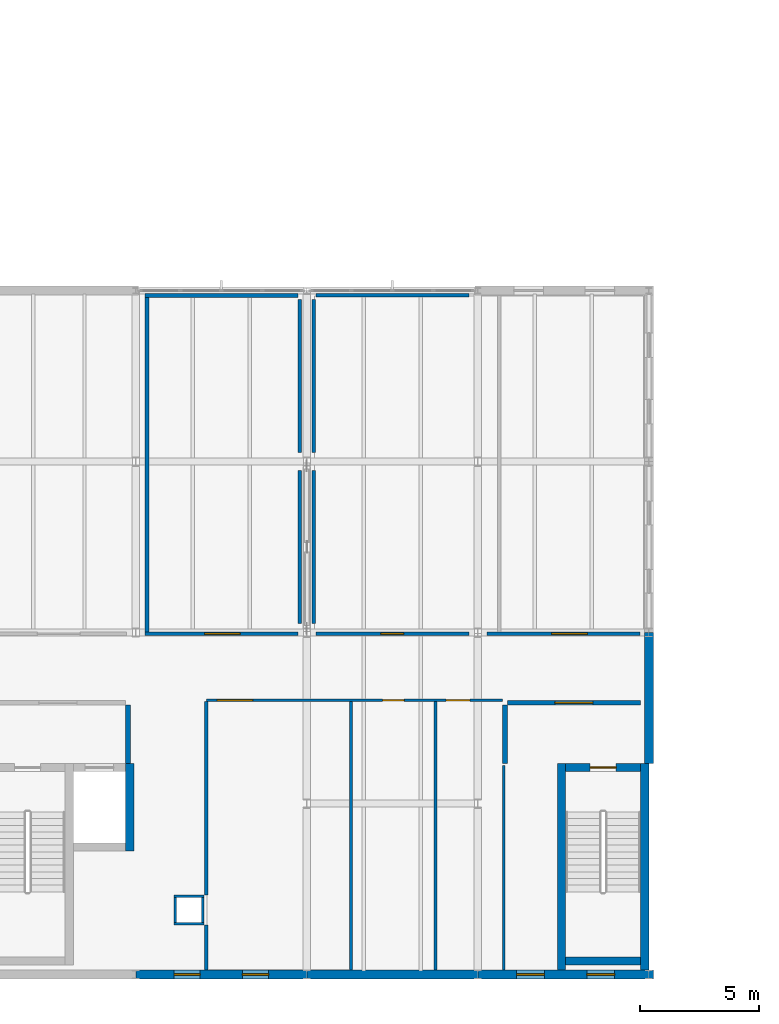
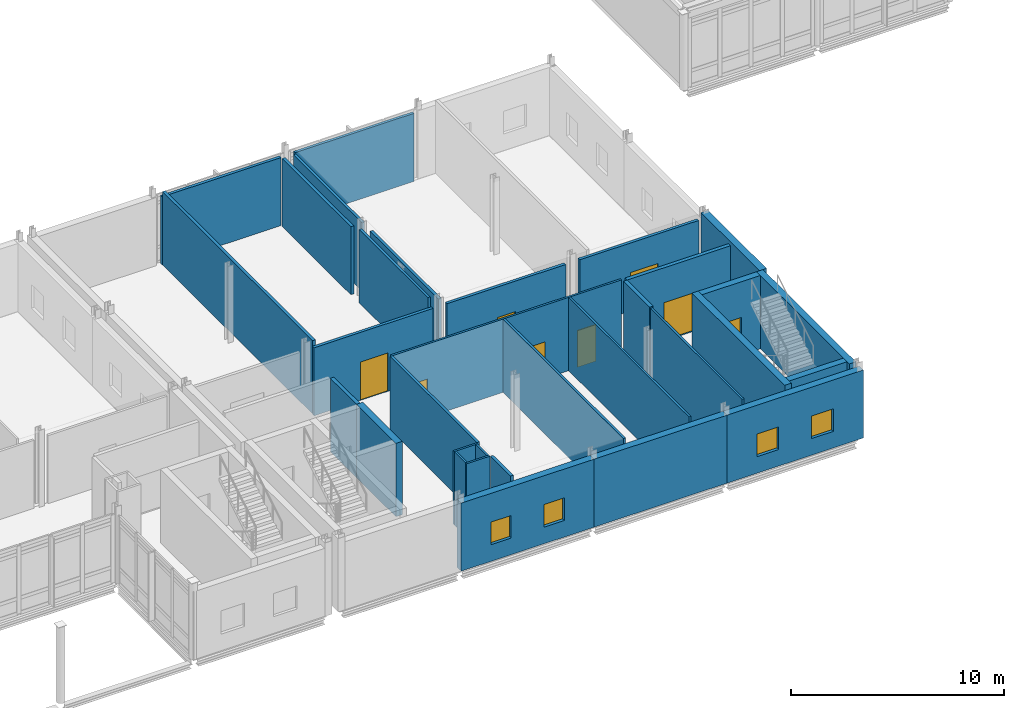
# One storey, part 56 of 72: 32 walls, 8 doors, 4 windows, 12 openings.
"""IFC4 building model written with IfcOpenShell, lengths in metres."""

from ifc_helpers import new_model, si_unit, direction, frame, frame_2d, origin, place, context, subcontext, project, spatial, rectangle, extrude, material, layer, layer_set, type_object, element, fill, save


model = new_model("IFC4")

# Units and contexts
model_context = context("Model", 3, precision=1e-05, world=origin(), true_north=direction((0.0, 1.0)))
body_context = subcontext(model_context, "Body", "Model", "MODEL_VIEW")
ifc_project = project(units=[si_unit("LENGTHUNIT", "METRE"), si_unit("AREAUNIT", "SQUARE_METRE"), si_unit("VOLUMEUNIT", "CUBIC_METRE"), si_unit("PLANEANGLEUNIT", "RADIAN"), si_unit("MASSUNIT", "GRAM", prefix="KILO")], contexts=[model_context])

# Site, building, storey
site_placement = place(None, origin())
site = spatial("IfcSite", under=ifc_project, at=site_placement, CompositionType="ELEMENT")
building_placement = place(site_placement, origin())
building = spatial("IfcBuilding", under=site, at=building_placement, Name="Zarrinpeak Specialist Clinic", CompositionType="ELEMENT")
storey_placement = place(building_placement, frame((0.0, 0.0, 9.60009765625)))
storey = spatial("IfcBuildingStorey", under=building, at=storey_placement, Name="L02", CompositionType="ELEMENT", Elevation=9.60009765625)

# Walls
ifc_material_1 = material(Name="Concrete C40/50", Category="concrete")
ifc_layer_1 = layer(ifc_material_1, 0.35009765625)
ifc_layer_set_1 = layer_set([ifc_layer_1], Name="Concrete C40/50")
wall_type_1 = type_object("IfcWallType", Name="WL-CR350", PredefinedType="SHEAR", material=ifc_layer_set_1)
wall_1_placement = place(storey_placement, frame((64.544921875, 5.199951171875, 0.0), z_axis=(0.0, 0.0, 1.0), x_axis=(0.0, 1.0, 0.0)))
element("IfcWall", 1, at=wall_1_placement, inside=storey, type_object=wall_type_1, Name="L02 Lift LF-P4 Shaft Wall LFE", PredefinedType="SHEAR", context=body_context, shape_type="SweptSolid", body=[
    extrude(rectangle(XDim=3.699951171875, YDim=0.35009765625, at=frame_2d((1.85009765625, 0.0))), origin(), (0.0, 0.0, 1.0), 4.199951171875),
])
wall_2_placement = place(storey_placement, frame((82.89990234375, 0.574951171875, 0.0), z_axis=(0.0, 0.0, 1.0), x_axis=(1.0, 0.0, 0.0)))
element("IfcWall", 2, at=wall_2_placement, inside=storey, type_object=wall_type_1, Name="L02 Core C08 Shear Wall STS", PredefinedType="SHEAR", context=body_context, shape_type="SweptSolid", body=[
    extrude(rectangle(XDim=3.150146484375, YDim=0.35009765625, at=frame_2d((1.5751953125, 0.0))), origin(), (0.0, 0.0, 1.0), 4.199951171875),
])

# Wall, opening, door
wall_3_placement = place(storey_placement, frame((82.89990234375, 8.72509765625, 0.0), z_axis=(0.0, 0.0, 1.0), x_axis=(1.0, 0.0, 0.0)))
wall_3 = element("IfcWall", 3, at=wall_3_placement, inside=storey, type_object=wall_type_1, Name="L02 Core C08 Shear Wall STN", PredefinedType="SHEAR", context=body_context, shape_type="SweptSolid", body=[
    extrude(rectangle(XDim=3.150146484375, YDim=0.35009765625, at=frame_2d((1.5751953125, 0.0))), origin(), (0.0, 0.0, 1.0), 4.199951171875),
])
opening_1_placement = place(wall_3_placement, frame((1.02490234375, 0.0, 0.0)))
opening_1 = element("IfcOpeningElement", 4, at=opening_1_placement, cuts=wall_3, Name="Opening D-S02", PredefinedType="OPENING", context=body_context, shape_type="SweptSolid", body=[
    extrude(rectangle(XDim=1.10009765625, YDim=2.14990234375, at=frame_2d((0.550048828125, 1.074951171875))), frame((0.0, 0.18505859375, 0.0), z_axis=(0.0, -1.0, 0.0), x_axis=(1.0, 0.0, 0.0)), (0.0, 0.0, 1.0), 0.3701171875),
])
ifc_material_2 = material(Name="Powder-Coated Galvanised Steel", Category="steel")
door_type_1 = type_object("IfcDoorType", Name="DR-FD110", OperationType="SINGLE_SWING_RIGHT", PredefinedType="DOOR", material=ifc_material_2)
door_1_placement = place(opening_1_placement, frame((1.10009765625, 0.0, 0.0), z_axis=(0.0, 0.0, 1.0), x_axis=(-1.0, 0.0, 0.0)))
door_1 = element("IfcDoor", 5, at=door_1_placement, inside=storey, type_object=door_type_1, Name="L02 Protected Stair ST-08 Fire Door", OperationType="SINGLE_SWING_RIGHT", OverallHeight=2.14990234375, OverallWidth=1.10009765625, PredefinedType="DOOR", context=body_context, shape_type="SweptSolid", body=[
    extrude(rectangle(XDim=1.10009765625, YDim=2.14990234375, at=frame_2d((0.550048828125, 1.074951171875))), frame((0.0, 0.02490234375, 0.0), z_axis=(0.0, -1.0, 0.0), x_axis=(1.0, 0.0, 0.0)), (0.0, 0.0, 1.0), 0.050048828125),
])
fill(opening_1, door_1)

# Walls
for number, where, z_axis, x_axis, name in (
    (6, (82.72509765625, 0.18994140625, 0.0), (0.0, 0.0, 1.0), (0.0, 1.0, 0.0), "L02 Core C08 Shear Wall STW"),
    (7, (86.22509765625, 0.18994140625, 0.0), (0.0, 0.0, 1.0), (0.0, 1.0, 0.0), "L02 Core C08 Shear Wall STE"),
):
    element("IfcWall", number, at=place(storey_placement, frame(where, z_axis=z_axis, x_axis=x_axis)), inside=storey, type_object=wall_type_1, Name=name, PredefinedType="SHEAR", context=body_context, shape_type="SweptSolid", body=[
        extrude(rectangle(XDim=8.7099609375, YDim=0.35009765625, at=frame_2d((4.35498046875, 0.0))), origin(), (0.0, 0.0, 1.0), 4.199951171875),
    ])

# Wall, openings, windows
ifc_material_3 = material(Name="Precast concrete C40/50", Category="concrete")
ifc_layer_2 = layer(ifc_material_3, 0.3798828125)
ifc_layer_set_2 = layer_set([ifc_layer_2], Name="Precast concrete C40/50")
wall_type_2 = type_object("IfcWallType", Name="WL-EW380", PredefinedType="STANDARD", material=ifc_layer_set_2)
wall_4_placement = place(storey_placement, frame((64.800048828125, 0.0, 0.0), z_axis=(0.0, 0.0, 1.0), x_axis=(1.0, 0.0, 0.0)))
wall_4 = element("IfcWall", 8, at=wall_4_placement, inside=storey, type_object=wall_type_2, Name="L02 V4 Exterior GRC Wall EW-L02-V4-0178", PredefinedType="STANDARD", context=body_context, shape_type="SweptSolid", body=[
    extrude(rectangle(XDim=7.199951171875, YDim=0.3798828125, at=frame_2d((3.60009765625, 0.0))), origin(), (0.0, 0.0, 1.0), 3.89501953125),
])
opening_2_placement = place(wall_4_placement, frame((1.611083984375, 0.0, 0.949951171875)))
opening_2 = element("IfcOpeningElement", 9, at=opening_2_placement, cuts=wall_4, Name="Opening WS-21", PredefinedType="OPENING", context=body_context, shape_type="SweptSolid", body=[
    extrude(rectangle(XDim=1.097900390625, YDim=1.2958984375, at=frame_2d((0.548828125, 0.64794921875))), frame((0.0, 0.199951171875, 0.0), z_axis=(0.0, -1.0, 0.0), x_axis=(1.0, 0.0, 0.0)), (0.0, 0.0, 1.0), 0.39990234375),
])
opening_3_placement = place(wall_4_placement, frame((4.490966796875, 0.0, 0.949951171875)))
opening_3 = element("IfcOpeningElement", 10, at=opening_3_placement, cuts=wall_4, Name="Opening WS-21", PredefinedType="OPENING", context=body_context, shape_type="SweptSolid", body=[
    extrude(rectangle(XDim=1.097900390625, YDim=1.2958984375, at=frame_2d((0.548828125, 0.64794921875))), frame((0.0, 0.199951171875, 0.0), z_axis=(0.0, -1.0, 0.0), x_axis=(1.0, 0.0, 0.0)), (0.0, 0.0, 1.0), 0.39990234375),
])
ifc_material_4 = material(Name="Thermally Broken Aluminium and Low-E Glazing", Category="aluminium")
window_type_1 = type_object("IfcWindowType", Name="WN-SP21", PartitioningType="SINGLE_PANEL", PredefinedType="WINDOW", material=ifc_material_4)
window_1_placement = place(opening_2_placement, origin())
window_1 = element("IfcWindow", 11, at=window_1_placement, inside=storey, type_object=window_type_1, Name="L02 Modular Facade Window WN-L02-0210", OverallHeight=1.2958984375, OverallWidth=1.097900390625, PartitioningType="SINGLE_PANEL", PredefinedType="WINDOW", context=body_context, shape_type="SweptSolid", body=[
    extrude(rectangle(XDim=1.097900390625, YDim=1.2958984375, at=frame_2d((0.548828125, 0.64794921875))), frame((0.0, 0.030029296875, 0.0), z_axis=(0.0, -1.0, 0.0), x_axis=(1.0, 0.0, 0.0)), (0.0, 0.0, 1.0), 0.06005859375),
])
fill(opening_2, window_1)
window_2_placement = place(opening_3_placement, origin())
window_2 = element("IfcWindow", 12, at=window_2_placement, inside=storey, type_object=window_type_1, Name="L02 Modular Facade Window WN-L02-0211", OverallHeight=1.2958984375, OverallWidth=1.097900390625, PartitioningType="SINGLE_PANEL", PredefinedType="WINDOW", context=body_context, shape_type="SweptSolid", body=[
    extrude(rectangle(XDim=1.097900390625, YDim=1.2958984375, at=frame_2d((0.548828125, 0.64794921875))), frame((0.0, 0.030029296875, 0.0), z_axis=(0.0, -1.0, 0.0), x_axis=(1.0, 0.0, 0.0)), (0.0, 0.0, 1.0), 0.06005859375),
])
fill(opening_3, window_2)

# Wall
wall_5_placement = place(storey_placement, frame((72.0, 0.0, 0.0), z_axis=(0.0, 0.0, 1.0), x_axis=(1.0, 0.0, 0.0)))
element("IfcWall", 13, at=wall_5_placement, inside=storey, type_object=wall_type_2, Name="L02 V4 Exterior GRC Wall EW-L02-V4-0179", PredefinedType="STANDARD", context=body_context, shape_type="SweptSolid", body=[
    extrude(rectangle(XDim=7.199951171875, YDim=0.3798828125, at=frame_2d((3.60009765625, 0.0))), origin(), (0.0, 0.0, 1.0), 3.89501953125),
])

# Wall, openings, windows
wall_6_placement = place(storey_placement, frame((79.199951171875, 0.0, 0.0), z_axis=(0.0, 0.0, 1.0), x_axis=(1.0, 0.0, 0.0)))
wall_6 = element("IfcWall", 14, at=wall_6_placement, inside=storey, type_object=wall_type_2, Name="L02 V4 Exterior GRC Wall EW-L02-V4-0180", PredefinedType="STANDARD", context=body_context, shape_type="SweptSolid", body=[
    extrude(rectangle(XDim=7.39013671875, YDim=0.3798828125, at=frame_2d((3.695068359375, 0.0))), origin(), (0.0, 0.0, 1.0), 3.89501953125),
])
opening_4_placement = place(wall_6_placement, frame((1.634033203125, 0.0, 0.949951171875)))
opening_4 = element("IfcOpeningElement", 15, at=opening_4_placement, cuts=wall_6, Name="Opening WS-23", PredefinedType="OPENING", context=body_context, shape_type="SweptSolid", body=[
    extrude(rectangle(XDim=1.166015625, YDim=1.2958984375, at=frame_2d((0.5830078125, 0.64794921875))), frame((0.0, 0.199951171875, 0.0), z_axis=(0.0, -1.0, 0.0), x_axis=(1.0, 0.0, 0.0)), (0.0, 0.0, 1.0), 0.39990234375),
])
opening_5_placement = place(wall_6_placement, frame((4.590087890625, 0.0, 0.949951171875)))
opening_5 = element("IfcOpeningElement", 16, at=opening_5_placement, cuts=wall_6, Name="Opening WS-23", PredefinedType="OPENING", context=body_context, shape_type="SweptSolid", body=[
    extrude(rectangle(XDim=1.166015625, YDim=1.2958984375, at=frame_2d((0.5830078125, 0.64794921875))), frame((0.0, 0.199951171875, 0.0), z_axis=(0.0, -1.0, 0.0), x_axis=(1.0, 0.0, 0.0)), (0.0, 0.0, 1.0), 0.39990234375),
])
window_type_2 = type_object("IfcWindowType", Name="WN-SP23", PartitioningType="SINGLE_PANEL", PredefinedType="WINDOW", material=ifc_material_4)
window_3_placement = place(opening_4_placement, origin())
window_3 = element("IfcWindow", 17, at=window_3_placement, inside=storey, type_object=window_type_2, Name="L02 Modular Facade Window WN-L02-0212", OverallHeight=1.2958984375, OverallWidth=1.166015625, PartitioningType="SINGLE_PANEL", PredefinedType="WINDOW", context=body_context, shape_type="SweptSolid", body=[
    extrude(rectangle(XDim=1.166015625, YDim=1.2958984375, at=frame_2d((0.5830078125, 0.64794921875))), frame((0.0, 0.030029296875, 0.0), z_axis=(0.0, -1.0, 0.0), x_axis=(1.0, 0.0, 0.0)), (0.0, 0.0, 1.0), 0.06005859375),
])
fill(opening_4, window_3)
window_4_placement = place(opening_5_placement, origin())
window_4 = element("IfcWindow", 18, at=window_4_placement, inside=storey, type_object=window_type_2, Name="L02 Modular Facade Window WN-L02-0213", OverallHeight=1.2958984375, OverallWidth=1.166015625, PartitioningType="SINGLE_PANEL", PredefinedType="WINDOW", context=body_context, shape_type="SweptSolid", body=[
    extrude(rectangle(XDim=1.166015625, YDim=1.2958984375, at=frame_2d((0.5830078125, 0.64794921875))), frame((0.0, 0.030029296875, 0.0), z_axis=(0.0, -1.0, 0.0), x_axis=(1.0, 0.0, 0.0)), (0.0, 0.0, 1.0), 0.06005859375),
])
fill(opening_5, window_4)

# Walls
wall_7_placement = place(storey_placement, frame((86.39990234375, 8.89990234375, 0.0), z_axis=(0.0, 0.0, 1.0), x_axis=(0.0, 1.0, 0.0)))
element("IfcWall", 19, at=wall_7_placement, inside=storey, type_object=wall_type_2, Name="L02 V4 Exterior GRC Wall EW-L02-V4-0187", PredefinedType="STANDARD", context=body_context, shape_type="SweptSolid", body=[
    extrude(rectangle(XDim=5.5, YDim=0.3798828125, at=frame_2d((2.75, 0.0))), origin(), (0.0, 0.0, 1.0), 4.199951171875),
])
ifc_material_5 = material(Name="Sanitary Service Chase Plumbing Wall", Category="gypsum")
ifc_layer_3 = layer(ifc_material_5, 0.110107421875)
ifc_layer_set_3 = layer_set([ifc_layer_3], Name="Sanitary Service Chase Plumbing Wall")
wall_type_3 = type_object("IfcWallType", Name="WL-IW110", PredefinedType="PARTITIONING", material=ifc_layer_set_3)
for number, where, z_axis, x_axis, name in (
    (20, (66.409912109375, 2.14501953125, 0.0), (0.0, 0.0, 1.0), (1.0, 0.0, 0.0), "L02 V4 Enclosed MEP Service Riser Wall S"),
    (21, (66.409912109375, 3.304931640625, 0.0), (0.0, 0.0, 1.0), (1.0, 0.0, 0.0), "L02 V4 Enclosed MEP Service Riser Wall N"),
):
    element("IfcWall", number, at=place(storey_placement, frame(where, z_axis=z_axis, x_axis=x_axis)), inside=storey, type_object=wall_type_3, Name=name, PredefinedType="PARTITIONING", context=body_context, shape_type="SweptSolid", body=[
        extrude(rectangle(XDim=1.27001953125, YDim=0.110107421875, at=frame_2d((0.635009765625, 0.0))), origin(), (0.0, 0.0, 1.0), 4.199951171875),
    ])
for number, where, z_axis, x_axis, name in (
    (22, (66.465087890625, 2.199951171875, 0.0), (0.0, 0.0, 1.0), (0.0, 1.0, 0.0), "L02 V4 Enclosed MEP Service Riser Wall W"),
    (23, (67.625, 2.199951171875, 0.0), (0.0, 0.0, 1.0), (0.0, 1.0, 0.0), "L02 V4 Enclosed MEP Service Riser Wall E"),
):
    element("IfcWall", number, at=place(storey_placement, frame(where, z_axis=z_axis, x_axis=x_axis)), inside=storey, type_object=wall_type_3, Name=name, PredefinedType="PARTITIONING", context=body_context, shape_type="SweptSolid", body=[
        extrude(rectangle(XDim=1.050048828125, YDim=0.110107421875, at=frame_2d((0.52490234375, 0.0))), origin(), (0.0, 0.0, 1.0), 4.199951171875),
    ])

# Wall, openings, doors
wall_8_placement = place(storey_placement, frame((67.77001953125, 11.550048828125, 0.0), z_axis=(0.0, 0.0, 1.0), x_axis=(1.0, 0.0, 0.0)))
wall_8 = element("IfcWall", 24, at=wall_8_placement, inside=storey, type_object=wall_type_3, Name="L02 Accessible PACU WC Partition", PredefinedType="PARTITIONING", context=body_context, shape_type="SweptSolid", body=[
    extrude(rectangle(XDim=12.4599609375, YDim=0.110107421875, at=frame_2d((6.22998046875, 0.0))), origin(), (0.0, 0.0, 1.0), 4.199951171875),
])
opening_6_placement = place(wall_8_placement, frame((10.10009765625, 0.0, 0.0)))
opening_6 = element("IfcOpeningElement", 25, at=opening_6_placement, cuts=wall_8, Name="Opening D-W02", PredefinedType="OPENING", context=body_context, shape_type="SweptSolid", body=[
    extrude(rectangle(XDim=1.0, YDim=2.10009765625, at=frame_2d((0.5, 1.050048828125))), frame((0.0, 0.06494140625, 0.0), z_axis=(0.0, -1.0, 0.0), x_axis=(1.0, 0.0, 0.0)), (0.0, 0.0, 1.0), 0.130126953125),
])
opening_7_placement = place(wall_8_placement, frame((7.425048828125, 0.0, 0.0)))
opening_7 = element("IfcOpeningElement", 26, at=opening_7_placement, cuts=wall_8, Name="Opening D-W01", PredefinedType="OPENING", context=body_context, shape_type="SweptSolid", body=[
    extrude(rectangle(XDim=0.89990234375, YDim=2.10009765625, at=frame_2d((0.449951171875, 1.050048828125))), frame((0.0, 0.06494140625, 0.0), z_axis=(0.0, -1.0, 0.0), x_axis=(1.0, 0.0, 0.0)), (0.0, 0.0, 1.0), 0.130126953125),
])
opening_8_placement = place(wall_8_placement, frame((0.449951171875, 0.0, 0.0)))
opening_8 = element("IfcOpeningElement", 27, at=opening_8_placement, cuts=wall_8, Name="Opening D-B01", PredefinedType="OPENING", context=body_context, shape_type="SweptSolid", body=[
    extrude(rectangle(XDim=1.5, YDim=2.199951171875, at=frame_2d((0.75, 1.10009765625))), frame((0.0, 0.06494140625, 0.0), z_axis=(0.0, -1.0, 0.0), x_axis=(1.0, 0.0, 0.0)), (0.0, 0.0, 1.0), 0.130126953125),
])
door_type_2 = type_object("IfcDoorType", Name="DR-AWC100", OperationType="SLIDING_TO_LEFT", PredefinedType="DOOR", material=ifc_material_2)
door_2_placement = place(opening_6_placement, origin())
door_2 = element("IfcDoor", 28, at=door_2_placement, inside=storey, type_object=door_type_2, Name="L02 Accessible PACU WC Door", OperationType="SLIDING_TO_LEFT", OverallHeight=2.10009765625, OverallWidth=1.0, PredefinedType="DOOR", context=body_context, shape_type="SweptSolid", body=[
    extrude(rectangle(XDim=1.0, YDim=2.10009765625, at=frame_2d((0.5, 1.050048828125))), frame((0.0, 0.02490234375, 0.0), z_axis=(0.0, -1.0, 0.0), x_axis=(1.0, 0.0, 0.0)), (0.0, 0.0, 1.0), 0.050048828125),
])
fill(opening_6, door_2)
door_type_3 = type_object("IfcDoorType", Name="DR-BED150", OperationType="DOUBLE_DOOR_SINGLE_SWING", PredefinedType="DOOR", material=ifc_material_2)
door_3_placement = place(opening_8_placement, origin())
door_3 = element("IfcDoor", 29, at=door_3_placement, inside=storey, type_object=door_type_3, Name="L02 Ambulatory Operating Suite 1 Door", OperationType="DOUBLE_DOOR_SINGLE_SWING", OverallHeight=2.199951171875, OverallWidth=1.5, PredefinedType="DOOR", context=body_context, shape_type="SweptSolid", body=[
    extrude(rectangle(XDim=1.5, YDim=2.199951171875, at=frame_2d((0.75, 1.10009765625))), frame((0.0, 0.02490234375, 0.0), z_axis=(0.0, -1.0, 0.0), x_axis=(1.0, 0.0, 0.0)), (0.0, 0.0, 1.0), 0.050048828125),
])
fill(opening_8, door_3)
door_type_4 = type_object("IfcDoorType", Name="DR-WC90", OperationType="SINGLE_SWING_RIGHT", PredefinedType="DOOR", material=ifc_material_2)
door_4_placement = place(opening_7_placement, origin())
door_4 = element("IfcDoor", 30, at=door_4_placement, inside=storey, type_object=door_type_4, Name="L02 Surgical Staff WC Door", OperationType="SINGLE_SWING_RIGHT", OverallHeight=2.10009765625, OverallWidth=0.89990234375, PredefinedType="DOOR", context=body_context, shape_type="SweptSolid", body=[
    extrude(rectangle(XDim=0.89990234375, YDim=2.10009765625, at=frame_2d((0.449951171875, 1.050048828125))), frame((0.0, 0.02490234375, 0.0), z_axis=(0.0, -1.0, 0.0), x_axis=(1.0, 0.0, 0.0)), (0.0, 0.0, 1.0), 0.050048828125),
])
fill(opening_7, door_4)

# Walls
wall_9_placement = place(storey_placement, frame((77.419921875, 0.199951171875, 0.0), z_axis=(0.0, 0.0, 1.0), x_axis=(0.0, 1.0, 0.0)))
element("IfcWall", 31, at=wall_9_placement, inside=storey, type_object=wall_type_3, Name="L02 Accessible PACU WC Dividing Partition", PredefinedType="PARTITIONING", context=body_context, shape_type="SweptSolid", body=[
    extrude(rectangle(XDim=11.295166015625, YDim=0.110107421875, at=frame_2d((5.6474609375, 0.0))), origin(), (0.0, 0.0, 1.0), 4.199951171875),
])
wall_10_placement = place(storey_placement, frame((80.300048828125, 0.199951171875, 0.0), z_axis=(0.0, 0.0, 1.0), x_axis=(0.0, 1.0, 0.0)))
element("IfcWall", 32, at=wall_10_placement, inside=storey, type_object=wall_type_3, Name="L02 Accessible PACU WC Dividing Partition", PredefinedType="PARTITIONING", context=body_context, shape_type="SweptSolid", body=[
    extrude(rectangle(XDim=8.60009765625, YDim=0.110107421875, at=frame_2d((4.300048828125, 0.0))), origin(), (0.0, 0.0, 1.0), 4.199951171875),
])
ifc_material_6 = material(Name="Moisture-Resistant Wet-Room Partition", Category="gypsum")
ifc_layer_4 = layer(ifc_material_6, 0.125)
ifc_layer_set_4 = layer_set([ifc_layer_4], Name="Moisture-Resistant Wet-Room Partition")
wall_type_4 = type_object("IfcWallType", Name="WL-IW125W", PredefinedType="PARTITIONING", material=ifc_layer_set_4)
wall_11_placement = place(storey_placement, frame((73.8701171875, 0.199951171875, 0.0), z_axis=(0.0, 0.0, 1.0), x_axis=(0.0, 1.0, 0.0)))
element("IfcWall", 33, at=wall_11_placement, inside=storey, type_object=wall_type_4, Name="L02 Surgical Staff WC Dividing Partition", PredefinedType="PARTITIONING", context=body_context, shape_type="SweptSolid", body=[
    extrude(rectangle(XDim=11.295166015625, YDim=0.125, at=frame_2d((5.6474609375, 0.0))), origin(), (0.0, 0.0, 1.0), 4.199951171875),
])
ifc_material_7 = material(Name="Standard Drywall Partition", Category="gypsum")
ifc_layer_5 = layer(ifc_material_7, 0.135009765625)
ifc_layer_set_5 = layer_set([ifc_layer_5], Name="Standard Drywall Partition")
wall_type_5 = type_object("IfcWallType", Name="WL-IW135", PredefinedType="PARTITIONING", material=ifc_layer_set_5)
wall_12_placement = place(storey_placement, frame((71.699951171875, 14.780029296875, 0.0), z_axis=(0.0, 0.0, 1.0), x_axis=(0.0, 1.0, 0.0)))
element("IfcWall", 34, at=wall_12_placement, inside=storey, type_object=wall_type_5, Name="L02 Post-Anaesthesia Recovery PACU Dividing Partition", PredefinedType="PARTITIONING", context=body_context, shape_type="SweptSolid", body=[
    extrude(rectangle(XDim=6.43994140625, YDim=0.135009765625, at=frame_2d((3.219970703125, 0.0))), origin(), (0.0, 0.0, 1.0), 4.199951171875),
])
ifc_material_8 = material(Name="Acoustic Consultation Stud Partition", Category="gypsum")
ifc_layer_6 = layer(ifc_material_8, 0.14208984375)
ifc_layer_set_6 = layer_set([ifc_layer_6], Name="Acoustic Consultation Stud Partition")
wall_type_6 = type_object("IfcWallType", Name="WL-IW142", PredefinedType="PARTITIONING", material=ifc_layer_set_6)
wall_13_placement = place(storey_placement, frame((72.3798828125, 28.60009765625, 0.0), z_axis=(0.0, 0.0, 1.0), x_axis=(1.0, 0.0, 0.0)))
element("IfcWall", 35, at=wall_13_placement, inside=storey, type_object=wall_type_6, Name="L02 Specialist Consultation Room 1 Partition", PredefinedType="PARTITIONING", context=body_context, shape_type="SweptSolid", body=[
    extrude(rectangle(XDim=6.440185546875, YDim=0.14208984375, at=frame_2d((3.22021484375, 0.0))), origin(), (0.0, 0.0, 1.0), 3.89990234375),
])
wall_14_placement = place(storey_placement, frame((67.77001953125, 3.360107421875, 0.0), z_axis=(0.0, 0.0, 1.0), x_axis=(0.0, 1.0, 0.0)))
element("IfcWall", 36, at=wall_14_placement, inside=storey, type_object=wall_type_6, Name="L02 Ambulatory Operating Suite 1 Dividing Partition", PredefinedType="PARTITIONING", context=body_context, shape_type="SweptSolid", body=[
    extrude(rectangle(XDim=8.135009765625, YDim=0.14208984375, at=frame_2d((4.0673828125, 0.0))), origin(), (0.0, 0.0, 1.0), 4.199951171875),
])
wall_15_placement = place(storey_placement, frame((72.300048828125, 21.97998046875, 0.0), z_axis=(0.0, 0.0, 1.0), x_axis=(0.0, 1.0, 0.0)))
element("IfcWall", 37, at=wall_15_placement, inside=storey, type_object=wall_type_6, Name="L02 Specialist Consultation Room 1 Dividing Partition", PredefinedType="PARTITIONING", context=body_context, shape_type="SweptSolid", body=[
    extrude(rectangle(XDim=6.43994140625, YDim=0.14208984375, at=frame_2d((3.219970703125, 0.0))), origin(), (0.0, 0.0, 1.0), 3.89990234375),
])
ifc_material_9 = material(Name="Insulated Clinical Gypsum Stud Partition", Category="gypsum")
ifc_layer_7 = layer(ifc_material_9, 0.14990234375)
ifc_layer_set_7 = layer_set([ifc_layer_7], Name="Insulated Clinical Gypsum Stud Partition")
wall_type_7 = type_object("IfcWallType", Name="WL-IW150", PredefinedType="PARTITIONING", material=ifc_layer_set_7)
wall_16_placement = place(storey_placement, frame((67.77001953125, 0.199951171875, 0.0), z_axis=(0.0, 0.0, 1.0), x_axis=(0.0, 1.0, 0.0)))
element("IfcWall", 38, at=wall_16_placement, inside=storey, type_object=wall_type_7, Name="L02 Ambulatory Operating Suite 1 Dividing Partition", PredefinedType="PARTITIONING", context=body_context, shape_type="SweptSolid", body=[
    extrude(rectangle(XDim=1.89013671875, YDim=0.14990234375, at=frame_2d((0.945068359375, 0.0))), origin(), (0.0, 0.0, 1.0), 4.199951171875),
])
wall_17_placement = place(storey_placement, frame((72.300048828125, 14.780029296875, 0.0), z_axis=(0.0, 0.0, 1.0), x_axis=(0.0, 1.0, 0.0)))
element("IfcWall", 39, at=wall_17_placement, inside=storey, type_object=wall_type_7, Name="L02 Specialist Consultation Room 1 Dividing Partition", PredefinedType="PARTITIONING", context=body_context, shape_type="SweptSolid", body=[
    extrude(rectangle(XDim=6.43994140625, YDim=0.14990234375, at=frame_2d((3.219970703125, 0.0))), origin(), (0.0, 0.0, 1.0), 3.89501953125),
])

# Wall, opening, door
ifc_material_10 = material(Name="Acoustic Double Gypsum Stud Partition", Category="gypsum")
ifc_layer_8 = layer(ifc_material_10, 0.159912109375)
ifc_layer_set_8 = layer_set([ifc_layer_8], Name="Acoustic Double Gypsum Stud Partition")
wall_type_8 = type_object("IfcWallType", Name="WL-IW160", PredefinedType="PARTITIONING", material=ifc_layer_set_8)
wall_18_placement = place(storey_placement, frame((65.179931640625, 14.35009765625, 0.0), z_axis=(0.0, 0.0, 1.0), x_axis=(1.0, 0.0, 0.0)))
wall_18 = element("IfcWall", 40, at=wall_18_placement, inside=storey, type_object=wall_type_8, Name="L02 Post-Anaesthesia Recovery PACU Partition", PredefinedType="PARTITIONING", context=body_context, shape_type="SweptSolid", body=[
    extrude(rectangle(XDim=6.440185546875, YDim=0.159912109375, at=frame_2d((3.22021484375, 0.0))), origin(), (0.0, 0.0, 1.0), 3.89501953125),
])
opening_9_placement = place(wall_18_placement, frame((2.514892578125, 0.0, 0.0)))
opening_9 = element("IfcOpeningElement", 41, at=opening_9_placement, cuts=wall_18, Name="Opening D-B01", PredefinedType="OPENING", context=body_context, shape_type="SweptSolid", body=[
    extrude(rectangle(XDim=1.5, YDim=2.199951171875, at=frame_2d((0.75, 1.10009765625))), frame((0.0, 0.08984375, 0.0), z_axis=(0.0, -1.0, 0.0), x_axis=(1.0, 0.0, 0.0)), (0.0, 0.0, 1.0), 0.179931640625),
])
door_5_placement = place(opening_9_placement, frame((1.5, 0.0, 0.0), z_axis=(0.0, 0.0, 1.0), x_axis=(-1.0, 0.0, 0.0)))
door_5 = element("IfcDoor", 42, at=door_5_placement, inside=storey, type_object=door_type_3, Name="L02 Post-Anaesthesia Recovery PACU Door", OperationType="DOUBLE_DOOR_SINGLE_SWING", OverallHeight=2.199951171875, OverallWidth=1.5, PredefinedType="DOOR", context=body_context, shape_type="SweptSolid", body=[
    extrude(rectangle(XDim=1.5, YDim=2.199951171875, at=frame_2d((0.75, 1.10009765625))), frame((0.0, 0.02490234375, 0.0), z_axis=(0.0, -1.0, 0.0), x_axis=(1.0, 0.0, 0.0)), (0.0, 0.0, 1.0), 0.050048828125),
])
fill(opening_9, door_5)

wall_19_placement = place(storey_placement, frame((72.3798828125, 14.35009765625, 0.0), z_axis=(0.0, 0.0, 1.0), x_axis=(1.0, 0.0, 0.0)))
wall_19 = element("IfcWall", 43, at=wall_19_placement, inside=storey, type_object=wall_type_8, Name="L02 Ambulatory Operating Suite 2 Partition", PredefinedType="PARTITIONING", context=body_context, shape_type="SweptSolid", body=[
    extrude(rectangle(XDim=6.440185546875, YDim=0.159912109375, at=frame_2d((3.22021484375, 0.0))), origin(), (0.0, 0.0, 1.0), 3.89501953125),
])
opening_10_placement = place(wall_19_placement, frame((2.740966796875, 0.0, 0.0)))
opening_10 = element("IfcOpeningElement", 44, at=opening_10_placement, cuts=wall_19, Name="Opening DS-56", PredefinedType="OPENING", context=body_context, shape_type="SweptSolid", body=[
    extrude(rectangle(XDim=0.9580078125, YDim=2.152099609375, at=frame_2d((0.47900390625, 1.076171875))), frame((0.0, 0.08984375, 0.0), z_axis=(0.0, -1.0, 0.0), x_axis=(1.0, 0.0, 0.0)), (0.0, 0.0, 1.0), 0.179931640625),
])
door_type_5 = type_object("IfcDoorType", Name="DR-SP56", OperationType="SINGLE_SWING_LEFT", PredefinedType="DOOR", material=ifc_material_2)
door_6_placement = place(opening_10_placement, frame((0.9580078125, 0.0, 0.0), z_axis=(0.0, 0.0, 1.0), x_axis=(-1.0, 0.0, 0.0)))
door_6 = element("IfcDoor", 45, at=door_6_placement, inside=storey, type_object=door_type_5, Name="L02 Specialist Consultation Room 1 Door", OperationType="SINGLE_SWING_LEFT", OverallHeight=2.152099609375, OverallWidth=0.9580078125, PredefinedType="DOOR", context=body_context, shape_type="SweptSolid", body=[
    extrude(rectangle(XDim=0.9580078125, YDim=2.152099609375, at=frame_2d((0.47900390625, 1.076171875))), frame((0.0, 0.02490234375, 0.0), z_axis=(0.0, -1.0, 0.0), x_axis=(1.0, 0.0, 0.0)), (0.0, 0.0, 1.0), 0.050048828125),
])
fill(opening_10, door_6)

wall_20_placement = place(storey_placement, frame((79.580078125, 14.35009765625, 0.0), z_axis=(0.0, 0.0, 1.0), x_axis=(1.0, 0.0, 0.0)))
wall_20 = element("IfcWall", 46, at=wall_20_placement, inside=storey, type_object=wall_type_8, Name="L02 Ambulatory Operating Suite 2 Partition", PredefinedType="PARTITIONING", context=body_context, shape_type="SweptSolid", body=[
    extrude(rectangle(XDim=6.43994140625, YDim=0.159912109375, at=frame_2d((3.219970703125, 0.0))), origin(), (0.0, 0.0, 1.0), 3.89501953125),
])
opening_11_placement = place(wall_20_placement, frame((2.72998046875, 0.0, 0.0)))
opening_11 = element("IfcOpeningElement", 47, at=opening_11_placement, cuts=wall_20, Name="Opening D-B01", PredefinedType="OPENING", context=body_context, shape_type="SweptSolid", body=[
    extrude(rectangle(XDim=1.5, YDim=2.199951171875, at=frame_2d((0.75, 1.10009765625))), frame((0.0, 0.08984375, 0.0), z_axis=(0.0, -1.0, 0.0), x_axis=(1.0, 0.0, 0.0)), (0.0, 0.0, 1.0), 0.179931640625),
])
door_7_placement = place(opening_11_placement, frame((1.5, 0.0, 0.0), z_axis=(0.0, 0.0, 1.0), x_axis=(-1.0, 0.0, 0.0)))
door_7 = element("IfcDoor", 48, at=door_7_placement, inside=storey, type_object=door_type_3, Name="L02 Ambulatory Operating Suite 2 Door", OperationType="DOUBLE_DOOR_SINGLE_SWING", OverallHeight=2.199951171875, OverallWidth=1.5, PredefinedType="DOOR", context=body_context, shape_type="SweptSolid", body=[
    extrude(rectangle(XDim=1.5, YDim=2.199951171875, at=frame_2d((0.75, 1.10009765625))), frame((0.0, 0.02490234375, 0.0), z_axis=(0.0, -1.0, 0.0), x_axis=(1.0, 0.0, 0.0)), (0.0, 0.0, 1.0), 0.050048828125),
])
fill(opening_11, door_7)

# Walls
wall_21_placement = place(storey_placement, frame((65.179931640625, 28.60009765625, 0.0), z_axis=(0.0, 0.0, 1.0), x_axis=(1.0, 0.0, 0.0)))
element("IfcWall", 49, at=wall_21_placement, inside=storey, type_object=wall_type_8, Name="L02 Post-Anaesthesia Recovery PACU Partition", PredefinedType="PARTITIONING", context=body_context, shape_type="SweptSolid", body=[
    extrude(rectangle(XDim=6.440185546875, YDim=0.159912109375, at=frame_2d((3.22021484375, 0.0))), origin(), (0.0, 0.0, 1.0), 3.89990234375),
])
wall_22_placement = place(storey_placement, frame((65.27001953125, 14.429931640625, 0.0), z_axis=(0.0, 0.0, 1.0), x_axis=(0.0, 1.0, 0.0)))
element("IfcWall", 50, at=wall_22_placement, inside=storey, type_object=wall_type_8, Name="L02 Post-Anaesthesia Recovery PACU Dividing Partition", PredefinedType="PARTITIONING", context=body_context, shape_type="SweptSolid", body=[
    extrude(rectangle(XDim=14.090087890625, YDim=0.159912109375, at=frame_2d((7.044921875, 0.0))), origin(), (0.0, 0.0, 1.0), 4.199951171875),
])
wall_23_placement = place(storey_placement, frame((71.699951171875, 21.97998046875, 0.0), z_axis=(0.0, 0.0, 1.0), x_axis=(0.0, 1.0, 0.0)))
element("IfcWall", 51, at=wall_23_placement, inside=storey, type_object=wall_type_8, Name="L02 Post-Anaesthesia Recovery PACU Dividing Partition", PredefinedType="PARTITIONING", context=body_context, shape_type="SweptSolid", body=[
    extrude(rectangle(XDim=6.43994140625, YDim=0.159912109375, at=frame_2d((3.219970703125, 0.0))), origin(), (0.0, 0.0, 1.0), 3.89990234375),
])
ifc_material_11 = material(Name="Autoclaved Aerated Concrete Blockwork", Category="masonry")
ifc_layer_9 = layer(ifc_material_11, 0.199951171875)
ifc_layer_set_9 = layer_set([ifc_layer_9], Name="Autoclaved Aerated Concrete Blockwork")
wall_type_9 = type_object("IfcWallType", Name="WL-IW200", PredefinedType="PARTITIONING", material=ifc_layer_set_9)
wall_24_placement = place(storey_placement, frame((64.469970703125, 8.89990234375, 0.0), z_axis=(0.0, 0.0, 1.0), x_axis=(0.0, 1.0, 0.0)))
element("IfcWall", 52, at=wall_24_placement, inside=storey, type_object=wall_type_9, Name="L02 C07 Protected Lobby Partition LBE", PredefinedType="PARTITIONING", context=body_context, shape_type="SweptSolid", body=[
    extrude(rectangle(XDim=2.4501953125, YDim=0.199951171875, at=frame_2d((1.22509765625, 0.0))), origin(), (0.0, 0.0, 1.0), 4.199951171875),
])

# Wall, opening, door
wall_25_placement = place(storey_placement, frame((80.449951171875, 11.449951171875, 0.0), z_axis=(0.0, 0.0, 1.0), x_axis=(1.0, 0.0, 0.0)))
wall_25 = element("IfcWall", 53, at=wall_25_placement, inside=storey, type_object=wall_type_9, Name="L02 C08 Protected Lobby Partition LBF", PredefinedType="PARTITIONING", context=body_context, shape_type="SweptSolid", body=[
    extrude(rectangle(XDim=5.60009765625, YDim=0.199951171875, at=frame_2d((2.800048828125, 0.0))), origin(), (0.0, 0.0, 1.0), 4.199951171875),
])
opening_12_placement = place(wall_25_placement, frame((2.0, 0.0, 0.0)))
opening_12 = element("IfcOpeningElement", 54, at=opening_12_placement, cuts=wall_25, Name="Opening D-L01", PredefinedType="OPENING", context=body_context, shape_type="SweptSolid", body=[
    extrude(rectangle(XDim=1.60009765625, YDim=2.199951171875, at=frame_2d((0.800048828125, 1.10009765625))), frame((0.0, 0.10986328125, 0.0), z_axis=(0.0, -1.0, 0.0), x_axis=(1.0, 0.0, 0.0)), (0.0, 0.0, 1.0), 0.219970703125),
])
door_type_6 = type_object("IfcDoorType", Name="DR-LB160", OperationType="DOUBLE_DOOR_SINGLE_SWING", PredefinedType="DOOR", material=ifc_material_2)
door_8_placement = place(opening_12_placement, origin())
door_8 = element("IfcDoor", 55, at=door_8_placement, inside=storey, type_object=door_type_6, Name="L02 C08 Lobby Hold-Open Fire Door", OperationType="DOUBLE_DOOR_SINGLE_SWING", OverallHeight=2.199951171875, OverallWidth=1.60009765625, PredefinedType="DOOR", context=body_context, shape_type="SweptSolid", body=[
    extrude(rectangle(XDim=1.60009765625, YDim=2.199951171875, at=frame_2d((0.800048828125, 1.10009765625))), frame((0.0, 0.02490234375, 0.0), z_axis=(0.0, -1.0, 0.0), x_axis=(1.0, 0.0, 0.0)), (0.0, 0.0, 1.0), 0.050048828125),
])
fill(opening_12, door_8)

# Wall
wall_26_placement = place(storey_placement, frame((80.35009765625, 8.89990234375, 0.0), z_axis=(0.0, 0.0, 1.0), x_axis=(0.0, 1.0, 0.0)))
element("IfcWall", 56, at=wall_26_placement, inside=storey, type_object=wall_type_9, Name="L02 C08 Protected Lobby Partition LBW", PredefinedType="PARTITIONING", context=body_context, shape_type="SweptSolid", body=[
    extrude(rectangle(XDim=2.4501953125, YDim=0.199951171875, at=frame_2d((1.22509765625, 0.0))), origin(), (0.0, 0.0, 1.0), 4.199951171875),
])

save(model, "model.ifc")
